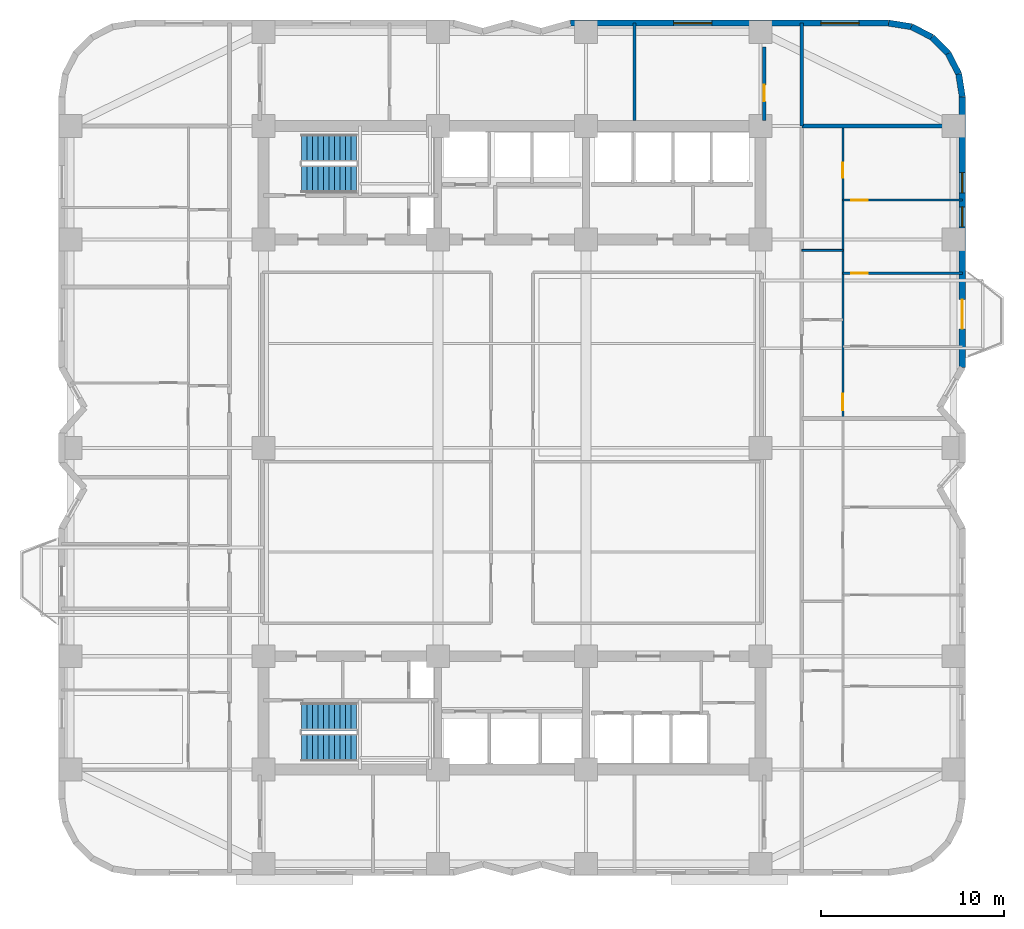
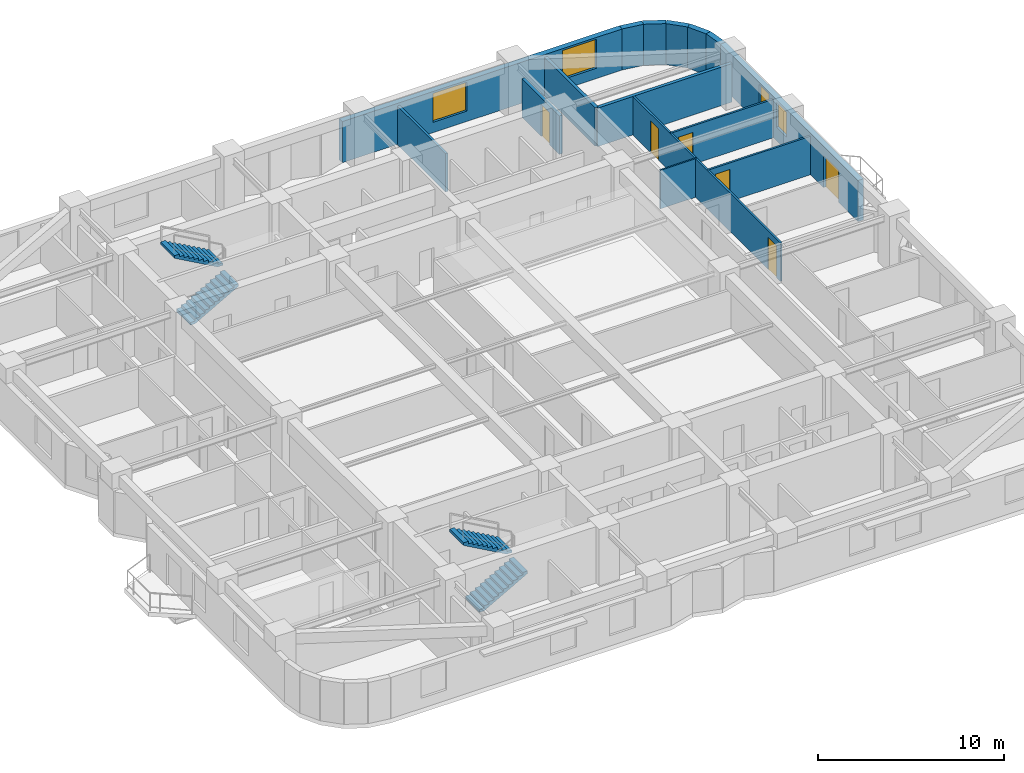
# One storey, part 7 of 9: 15 walls, 6 doors, 4 stair flights, 4 windows, 10 openings, 2 elements without a shape of their own.
"""IFC4 building model written with IfcOpenShell, lengths in metres."""

from ifc_helpers import new_model, si_unit, direction, frame, frame_2d, origin, place, context, subcontext, project, spatial, polyline, rectangle, outline, extrude, material, layer, layer_set, type_object, element, fill, aggregate, save


model = new_model("IFC4")

# Units and contexts
model_context = context("Model", 3, precision=1e-05, world=origin(), true_north=direction((0.0, 1.0)))
body_context = subcontext(model_context, "Body", "Model", "MODEL_VIEW")
ifc_project = project(units=[si_unit("LENGTHUNIT", "METRE"), si_unit("AREAUNIT", "SQUARE_METRE"), si_unit("VOLUMEUNIT", "CUBIC_METRE"), si_unit("PLANEANGLEUNIT", "RADIAN"), si_unit("MASSUNIT", "GRAM", prefix="KILO")], contexts=[model_context])

# Site, building, storey
site_placement = place(None, origin())
site = spatial("IfcSite", under=ifc_project, at=site_placement, CompositionType="ELEMENT")
building_placement = place(site_placement, origin())
building = spatial("IfcBuilding", under=site, at=building_placement, Name="Svetorya Sky Lyceum", CompositionType="ELEMENT")
storey_placement = place(building_placement, frame((0.0, 0.0, 47.300048828125)))
storey = spatial("IfcBuildingStorey", under=building, at=storey_placement, Name="L11", CompositionType="ELEMENT", Elevation=47.300048828125)

# Wall, openings, door, windows
ifc_material_1 = material(Name="Putilovo limestone rainscreen on autoclaved cellular masonry", Category="masonry")
ifc_layer_1 = layer(ifc_material_1, 0.340087890625)
ifc_layer_set_1 = layer_set([ifc_layer_1], Name="Putilovo limestone rainscreen on autoclaved cellular masonry")
wall_type_1 = type_object("IfcWallType", Name="WL-EXT-340", PredefinedType="SOLIDWALL", material=ifc_layer_set_1)
wall_1_placement = place(storey_placement, frame((63.830078125, 32.60009765625, 0.0), z_axis=(0.0, 0.0, 1.0), x_axis=(0.0, 1.0, 0.0)))
wall_1 = element("IfcWall", 1, at=wall_1_placement, inside=storey, type_object=wall_type_1, Name="L11 Limestone Exterior Wall 23M", PredefinedType="SOLIDWALL", context=body_context, shape_type="SweptSolid", body=[
    extrude(rectangle(XDim=14.7998046875, YDim=0.340087890625, at=frame_2d((7.39990234375, 0.0))), origin(), (0.0, 0.0, 1.0), 2.699951171875),
])
opening_1_placement = place(wall_1_placement, frame((2.10009765625, 0.0, 0.0)))
opening_1 = element("IfcOpeningElement", 2, at=opening_1_placement, cuts=wall_1, Name="Opening D-BL1", PredefinedType="OPENING", context=body_context, shape_type="SweptSolid", body=[
    extrude(rectangle(XDim=1.60009765625, YDim=2.10009765625, at=frame_2d((0.800048828125, 1.050048828125))), frame((0.0, 0.179931640625, 0.0), z_axis=(0.0, -1.0, 0.0), x_axis=(1.0, 0.0, 0.0)), (0.0, 0.0, 1.0), 0.360107421875),
])
opening_2_placement = place(wall_1_placement, frame((7.679931640625, 0.0, 0.889892578125)))
opening_2 = element("IfcOpeningElement", 3, at=opening_2_placement, cuts=wall_1, Name="Opening W-R3", PredefinedType="OPENING", context=body_context, shape_type="SweptSolid", body=[
    extrude(rectangle(XDim=1.10009765625, YDim=1.64990234375, at=frame_2d((0.550048828125, 0.824951171875))), frame((0.0, 0.179931640625, 0.0), z_axis=(0.0, -1.0, 0.0), x_axis=(1.0, 0.0, 0.0)), (0.0, 0.0, 1.0), 0.360107421875),
])
opening_3_placement = place(wall_1_placement, frame((9.550048828125, 0.0, 0.929931640625)))
opening_3 = element("IfcOpeningElement", 4, at=opening_3_placement, cuts=wall_1, Name="Opening W-R3", PredefinedType="OPENING", context=body_context, shape_type="SweptSolid", body=[
    extrude(rectangle(XDim=1.10009765625, YDim=1.64990234375, at=frame_2d((0.550048828125, 0.824951171875))), frame((0.0, 0.179931640625, 0.0), z_axis=(0.0, -1.0, 0.0), x_axis=(1.0, 0.0, 0.0)), (0.0, 0.0, 1.0), 0.360107421875),
])
ifc_material_2 = material(Name="Insulated glazed aluminium balcony door", Category="aluminium")
door_type_1 = type_object("IfcDoorType", Name="DR-BAL-1600", OperationType="DOUBLE_DOOR_SINGLE_SWING", PredefinedType="DOOR", material=ifc_material_2)
door_1_placement = place(opening_1_placement, origin())
door_1 = element("IfcDoor", 5, at=door_1_placement, inside=storey, type_object=door_type_1, Name="L11 Balcony BAL-E1 Door", OperationType="DOUBLE_DOOR_SINGLE_SWING", OverallHeight=2.10009765625, OverallWidth=1.60009765625, PredefinedType="DOOR", context=body_context, shape_type="SweptSolid", body=[
    extrude(rectangle(XDim=1.60009765625, YDim=2.10009765625, at=frame_2d((0.800048828125, 1.050048828125))), frame((0.0, 0.02490234375, 0.0), z_axis=(0.0, -1.0, 0.0), x_axis=(1.0, 0.0, 0.0)), (0.0, 0.0, 1.0), 0.050048828125),
])
fill(opening_1, door_1)
ifc_material_3 = material(Name="Thermally broken aluminium frame with triple low-E glazing", Category="aluminium")
window_type_1 = type_object("IfcWindowType", Name="WN-RES-110", PartitioningType="SINGLE_PANEL", PredefinedType="WINDOW", material=ifc_material_3)
window_1_placement = place(opening_2_placement, origin())
window_1 = element("IfcWindow", 6, at=window_1_placement, inside=storey, type_object=window_type_1, Name="L11 Facade Window W-R3.23M.2", OverallHeight=1.64990234375, OverallWidth=1.10009765625, PartitioningType="SINGLE_PANEL", PredefinedType="WINDOW", context=body_context, shape_type="SweptSolid", body=[
    extrude(rectangle(XDim=1.10009765625, YDim=1.64990234375, at=frame_2d((0.550048828125, 0.824951171875))), frame((0.0, 0.030029296875, 0.0), z_axis=(0.0, -1.0, 0.0), x_axis=(1.0, 0.0, 0.0)), (0.0, 0.0, 1.0), 0.06005859375),
])
fill(opening_2, window_1)
window_2_placement = place(opening_3_placement, origin())
window_2 = element("IfcWindow", 7, at=window_2_placement, inside=storey, type_object=window_type_1, Name="L11 Facade Window W-R3.23M.1", OverallHeight=1.64990234375, OverallWidth=1.10009765625, PartitioningType="SINGLE_PANEL", PredefinedType="WINDOW", context=body_context, shape_type="SweptSolid", body=[
    extrude(rectangle(XDim=1.10009765625, YDim=1.64990234375, at=frame_2d((0.550048828125, 0.824951171875))), frame((0.0, 0.030029296875, 0.0), z_axis=(0.0, -1.0, 0.0), x_axis=(1.0, 0.0, 0.0)), (0.0, 0.0, 1.0), 0.06005859375),
])
fill(opening_3, window_2)

# Walls
for number, where, z_axis, x_axis, name in (
    (8, (63.830078125, 47.39990234375, 0.0), (0.0, 0.0, 1.0), (-0.15644975923, 0.987685918112, 0.0), "L11 Limestone Exterior Wall 24M"),
    (9, (63.6328125, 48.645263671875, 0.0), (0.0, 0.0, 1.0), (-0.454015689056, 0.890993689142, 0.0), "L11 Limestone Exterior Wall 25M"),
    (10, (63.060302734375, 49.768798828125, 0.0), (0.0, 0.0, 1.0), (-0.707106781187, 0.707106781187, 0.0), "L11 Limestone Exterior Wall 26M"),
):
    element("IfcWall", number, at=place(storey_placement, frame(where, z_axis=z_axis, x_axis=x_axis)), inside=storey, type_object=wall_type_1, Name=name, PredefinedType="SOLIDWALL", context=body_context, shape_type="SweptSolid", body=[
        extrude(rectangle(XDim=1.260986328125, YDim=0.340087890625, at=frame_2d((0.63037109375, 0.0))), origin(), (0.0, 0.0, 1.0), 2.699951171875),
    ])
for number, where, z_axis, x_axis, name in (
    (11, (62.168701171875, 50.660400390625, 0.0), (0.0, 0.0, 1.0), (-0.890953769915, 0.454094020963, 0.0), "L11 Limestone Exterior Wall 27M"),
    (12, (61.04541015625, 51.23291015625, 0.0), (0.0, 0.0, 1.0), (-0.98771582066, 0.156260864002, 0.0), "L11 Limestone Exterior Wall 28M"),
):
    element("IfcWall", number, at=place(storey_placement, frame(where, z_axis=z_axis, x_axis=x_axis)), inside=storey, type_object=wall_type_1, Name=name, PredefinedType="SOLIDWALL", context=body_context, shape_type="SweptSolid", body=[
        extrude(rectangle(XDim=1.2607421875, YDim=0.340087890625, at=frame_2d((0.63037109375, 0.0))), origin(), (0.0, 0.0, 1.0), 2.699951171875),
    ])

# Wall, openings, windows
wall_2_placement = place(storey_placement, frame((59.800048828125, 51.429931640625, 0.0), z_axis=(0.0, 0.0, 1.0), x_axis=(-1.0, 0.0, 0.0)))
wall_2 = element("IfcWall", 13, at=wall_2_placement, inside=storey, type_object=wall_type_1, Name="L11 Limestone Exterior Wall 29M", PredefinedType="SOLIDWALL", context=body_context, shape_type="SweptSolid", body=[
    extrude(rectangle(XDim=17.400146484375, YDim=0.340087890625, at=frame_2d((8.7001953125, 0.0))), origin(), (0.0, 0.0, 1.0), 2.699951171875),
])
opening_4_placement = place(wall_2_placement, frame((1.612548828125, 0.0, 0.679931640625)))
opening_4 = element("IfcOpeningElement", 14, at=opening_4_placement, cuts=wall_2, Name="Opening W-R0", PredefinedType="OPENING", context=body_context, shape_type="SweptSolid", body=[
    extrude(rectangle(XDim=2.10009765625, YDim=1.89990234375, at=frame_2d((1.050048828125, 0.949951171875))), frame((0.0, 0.179931640625, 0.0), z_axis=(0.0, -1.0, 0.0), x_axis=(1.0, 0.0, 0.0)), (0.0, 0.0, 1.0), 0.360107421875),
])
opening_5_placement = place(wall_2_placement, frame((9.66259765625, 0.0, 0.679931640625)))
opening_5 = element("IfcOpeningElement", 15, at=opening_5_placement, cuts=wall_2, Name="Opening W-R0", PredefinedType="OPENING", context=body_context, shape_type="SweptSolid", body=[
    extrude(rectangle(XDim=2.10009765625, YDim=1.89990234375, at=frame_2d((1.050048828125, 0.949951171875))), frame((0.0, 0.179931640625, 0.0), z_axis=(0.0, -1.0, 0.0), x_axis=(1.0, 0.0, 0.0)), (0.0, 0.0, 1.0), 0.360107421875),
])
window_type_2 = type_object("IfcWindowType", Name="WN-RES-210", PartitioningType="TRIPLE_PANEL_VERTICAL", PredefinedType="WINDOW", material=ifc_material_3)
window_3_placement = place(opening_4_placement, origin())
window_3 = element("IfcWindow", 16, at=window_3_placement, inside=storey, type_object=window_type_2, Name="L11 Facade Window W-R0.29M.1", OverallHeight=1.89990234375, OverallWidth=2.10009765625, PartitioningType="SINGLE_PANEL", PredefinedType="WINDOW", context=body_context, shape_type="SweptSolid", body=[
    extrude(rectangle(XDim=2.10009765625, YDim=1.89990234375, at=frame_2d((1.050048828125, 0.949951171875))), frame((0.0, 0.030029296875, 0.0), z_axis=(0.0, -1.0, 0.0), x_axis=(1.0, 0.0, 0.0)), (0.0, 0.0, 1.0), 0.06005859375),
])
fill(opening_4, window_3)
window_4_placement = place(opening_5_placement, origin())
window_4 = element("IfcWindow", 17, at=window_4_placement, inside=storey, type_object=window_type_2, Name="L11 Facade Window W-R0.29M.2", OverallHeight=1.89990234375, OverallWidth=2.10009765625, PartitioningType="SINGLE_PANEL", PredefinedType="WINDOW", context=body_context, shape_type="SweptSolid", body=[
    extrude(rectangle(XDim=2.10009765625, YDim=1.89990234375, at=frame_2d((1.050048828125, 0.949951171875))), frame((0.0, 0.030029296875, 0.0), z_axis=(0.0, -1.0, 0.0), x_axis=(1.0, 0.0, 0.0)), (0.0, 0.0, 1.0), 0.06005859375),
])
fill(opening_5, window_4)

# Wall
ifc_material_4 = material(Name="Galvanized stud partition with moisture-resistant board", Category="gypsum")
ifc_layer_2 = layer(ifc_material_4, 0.10009765625)
ifc_layer_set_2 = layer_set([ifc_layer_2], Name="Galvanized stud partition with moisture-resistant board")
wall_type_2 = type_object("IfcWallType", Name="WL-PART-100", PredefinedType="PARTITIONING", material=ifc_layer_set_2)
wall_3_placement = place(storey_placement, frame((55.050048828125, 39.0, 0.0), z_axis=(0.0, 0.0, 1.0), x_axis=(1.0, 0.0, 0.0)))
element("IfcWall", 18, at=wall_3_placement, inside=storey, type_object=wall_type_2, Name="L11 Interior Partition E2-WH2", PredefinedType="PARTITIONING", context=body_context, shape_type="SweptSolid", body=[
    extrude(rectangle(XDim=2.25, YDim=0.10009765625, at=frame_2d((1.125, 0.0))), origin(), (0.0, 0.0, 1.0), 2.530029296875),
])

# Wall, opening, door
ifc_material_5 = material(Name="Twin-stud galvanized framing with double fireboard", Category="gypsum")
ifc_layer_3 = layer(ifc_material_5, 0.1201171875)
ifc_layer_set_3 = layer_set([ifc_layer_3], Name="Twin-stud galvanized framing with double fireboard")
wall_type_3 = type_object("IfcWallType", Name="WL-PART-120", PredefinedType="PARTITIONING", material=ifc_layer_set_3)
wall_4_placement = place(storey_placement, frame((57.300048828125, 37.75, 0.0), z_axis=(0.0, 0.0, 1.0), x_axis=(1.0, 0.0, 0.0)))
wall_4 = element("IfcWall", 19, at=wall_4_placement, inside=storey, type_object=wall_type_3, Name="L11 Interior Partition E2-WL2", PredefinedType="PARTITIONING", context=body_context, shape_type="SweptSolid", body=[
    extrude(rectangle(XDim=6.530029296875, YDim=0.1201171875, at=frame_2d((3.26513671875, 0.0))), origin(), (0.0, 0.0, 1.0), 2.530029296875),
])
opening_6_placement = place(wall_4_placement, frame((0.449951171875, 0.0, 0.0)))
opening_6 = element("IfcOpeningElement", 20, at=opening_6_placement, cuts=wall_4, Name="Opening D-RM1", PredefinedType="OPENING", context=body_context, shape_type="SweptSolid", body=[
    extrude(rectangle(XDim=0.89990234375, YDim=2.10009765625, at=frame_2d((0.449951171875, 1.050048828125))), frame((0.0, 0.070068359375, 0.0), z_axis=(0.0, -1.0, 0.0), x_axis=(1.0, 0.0, 0.0)), (0.0, 0.0, 1.0), 0.14013671875),
])
ifc_material_6 = material(Name="Lacquered birch veneer internal door")
door_type_2 = type_object("IfcDoorType", Name="DR-INT-900", OperationType="SINGLE_SWING_LEFT", PredefinedType="DOOR", material=ifc_material_6)
door_2_placement = place(opening_6_placement, origin())
door_2 = element("IfcDoor", 21, at=door_2_placement, inside=storey, type_object=door_type_2, Name="Apartment E2 Bedroom 2 Door", OperationType="SINGLE_SWING_RIGHT", OverallHeight=2.10009765625, OverallWidth=0.89990234375, PredefinedType="DOOR", context=body_context, shape_type="SweptSolid", body=[
    extrude(rectangle(XDim=0.89990234375, YDim=2.10009765625, at=frame_2d((0.449951171875, 1.050048828125))), frame((0.0, 0.02490234375, 0.0), z_axis=(0.0, -1.0, 0.0), x_axis=(1.0, 0.0, 0.0)), (0.0, 0.0, 1.0), 0.050048828125),
])
fill(opening_6, door_2)

wall_5_placement = place(storey_placement, frame((57.300048828125, 41.75, 0.0), z_axis=(0.0, 0.0, 1.0), x_axis=(1.0, 0.0, 0.0)))
wall_5 = element("IfcWall", 22, at=wall_5_placement, inside=storey, type_object=wall_type_3, Name="L11 Interior Partition E2-WL3", PredefinedType="PARTITIONING", context=body_context, shape_type="SweptSolid", body=[
    extrude(rectangle(XDim=6.530029296875, YDim=0.1201171875, at=frame_2d((3.26513671875, 0.0))), origin(), (0.0, 0.0, 1.0), 2.530029296875),
])
opening_7_placement = place(wall_5_placement, frame((0.449951171875, 0.0, 0.0)))
opening_7 = element("IfcOpeningElement", 23, at=opening_7_placement, cuts=wall_5, Name="Opening D-RM1", PredefinedType="OPENING", context=body_context, shape_type="SweptSolid", body=[
    extrude(rectangle(XDim=0.89990234375, YDim=2.10009765625, at=frame_2d((0.449951171875, 1.050048828125))), frame((0.0, 0.070068359375, 0.0), z_axis=(0.0, -1.0, 0.0), x_axis=(1.0, 0.0, 0.0)), (0.0, 0.0, 1.0), 0.14013671875),
])
door_3_placement = place(opening_7_placement, origin())
door_3 = element("IfcDoor", 24, at=door_3_placement, inside=storey, type_object=door_type_2, Name="Apartment E2 Bedroom 3 Door", OperationType="SINGLE_SWING_LEFT", OverallHeight=2.10009765625, OverallWidth=0.89990234375, PredefinedType="DOOR", context=body_context, shape_type="SweptSolid", body=[
    extrude(rectangle(XDim=0.89990234375, YDim=2.10009765625, at=frame_2d((0.449951171875, 1.050048828125))), frame((0.0, 0.02490234375, 0.0), z_axis=(0.0, -1.0, 0.0), x_axis=(1.0, 0.0, 0.0)), (0.0, 0.0, 1.0), 0.050048828125),
])
fill(opening_7, door_3)

# Wall, openings, doors
wall_6_placement = place(storey_placement, frame((57.300048828125, 29.840087890625, 0.0), z_axis=(0.0, 0.0, 1.0), x_axis=(0.0, 1.0, 0.0)))
wall_6 = element("IfcWall", 25, at=wall_6_placement, inside=storey, type_object=wall_type_3, Name="L11 Interior Partition E2-WV", PredefinedType="PARTITIONING", context=body_context, shape_type="SweptSolid", body=[
    extrude(rectangle(XDim=15.919921875, YDim=0.1201171875, at=frame_2d((7.9599609375, 0.0))), origin(), (0.0, 0.0, 1.0), 2.530029296875),
])
opening_8_placement = place(wall_6_placement, frame((0.409912109375, 0.0, 0.0)))
opening_8 = element("IfcOpeningElement", 26, at=opening_8_placement, cuts=wall_6, Name="Opening D-RM1", PredefinedType="OPENING", context=body_context, shape_type="SweptSolid", body=[
    extrude(rectangle(XDim=0.89990234375, YDim=2.10009765625, at=frame_2d((0.449951171875, 1.050048828125))), frame((0.0, 0.070068359375, 0.0), z_axis=(0.0, -1.0, 0.0), x_axis=(1.0, 0.0, 0.0)), (0.0, 0.0, 1.0), 0.14013671875),
])
opening_9_placement = place(wall_6_placement, frame((13.125, 0.0, 0.0)))
opening_9 = element("IfcOpeningElement", 27, at=opening_9_placement, cuts=wall_6, Name="Opening D-BT2", PredefinedType="OPENING", context=body_context, shape_type="SweptSolid", body=[
    extrude(rectangle(XDim=0.820068359375, YDim=2.080078125, at=frame_2d((0.41015625, 1.0400390625))), frame((0.0, 0.070068359375, 0.0), z_axis=(0.0, -1.0, 0.0), x_axis=(1.0, 0.0, 0.0)), (0.0, 0.0, 1.0), 0.14013671875),
])
door_4_placement = place(opening_8_placement, origin())
door_4 = element("IfcDoor", 28, at=door_4_placement, inside=storey, type_object=door_type_2, Name="Apartment E2 Living Door", OperationType="SINGLE_SWING_RIGHT", OverallHeight=2.10009765625, OverallWidth=0.89990234375, PredefinedType="DOOR", context=body_context, shape_type="SweptSolid", body=[
    extrude(rectangle(XDim=0.89990234375, YDim=2.10009765625, at=frame_2d((0.449951171875, 1.050048828125))), frame((0.0, 0.02490234375, 0.0), z_axis=(0.0, -1.0, 0.0), x_axis=(1.0, 0.0, 0.0)), (0.0, 0.0, 1.0), 0.050048828125),
])
fill(opening_8, door_4)
ifc_material_7 = material(Name="Compact moisture-resistant laminate closet door")
door_type_3 = type_object("IfcDoorType", Name="DR-WET-820", OperationType="SINGLE_SWING_LEFT", PredefinedType="DOOR", material=ifc_material_7)
door_5_placement = place(opening_9_placement, origin())
door_5 = element("IfcDoor", 29, at=door_5_placement, inside=storey, type_object=door_type_3, Name="Apartment E2 Study Door", OperationType="SINGLE_SWING_LEFT", OverallHeight=2.080078125, OverallWidth=0.820068359375, PredefinedType="DOOR", context=body_context, shape_type="SweptSolid", body=[
    extrude(rectangle(XDim=0.820068359375, YDim=2.080078125, at=frame_2d((0.41015625, 1.0400390625))), frame((0.0, 0.02490234375, 0.0), z_axis=(0.0, -1.0, 0.0), x_axis=(1.0, 0.0, 0.0)), (0.0, 0.0, 1.0), 0.050048828125),
])
fill(opening_9, door_5)

# Walls
ifc_material_8 = material(Name="Autoclaved cellular masonry blockwork with acoustic render", Category="masonry")
ifc_layer_4 = layer(ifc_material_8, 0.14990234375)
ifc_layer_set_4 = layer_set([ifc_layer_4], Name="Autoclaved cellular masonry blockwork with acoustic render")
wall_type_4 = type_object("IfcWallType", Name="WL-PART-150", PredefinedType="PARTITIONING", material=ifc_layer_set_4)
wall_7_placement = place(storey_placement, frame((45.89990234375, 46.10009765625, 0.0), z_axis=(0.0, 0.0, 1.0), x_axis=(0.0, 1.0, 0.0)))
element("IfcWall", 30, at=wall_7_placement, inside=storey, type_object=wall_type_4, Name="L11 Interior Partition N-D2", PredefinedType="PARTITIONING", context=body_context, shape_type="SweptSolid", body=[
    extrude(rectangle(XDim=5.329833984375, YDim=0.14990234375, at=frame_2d((2.6650390625, 0.0))), origin(), (0.0, 0.0, 1.0), 2.530029296875),
])
ifc_material_9 = material(Name="Autoclaved cellular masonry blockwork with gypsum plaster", Category="masonry")
ifc_layer_5 = layer(ifc_material_9, 0.199951171875)
ifc_layer_set_5 = layer_set([ifc_layer_5], Name="Autoclaved cellular masonry blockwork with gypsum plaster")
wall_type_5 = type_object("IfcWallType", Name="WL-PART-200", PredefinedType="PARTITIONING", material=ifc_layer_set_5)
wall_8_placement = place(storey_placement, frame((55.050048828125, 45.800048828125, 0.0), z_axis=(0.0, 0.0, 1.0), x_axis=(1.0, 0.0, 0.0)))
element("IfcWall", 31, at=wall_8_placement, inside=storey, type_object=wall_type_5, Name="L11 Interior Partition E-CAP-N", PredefinedType="PARTITIONING", context=body_context, shape_type="SweptSolid", body=[
    extrude(rectangle(XDim=8.35986328125, YDim=0.199951171875, at=frame_2d((4.179931640625, 0.0))), origin(), (0.0, 0.0, 1.0), 2.530029296875),
])
wall_9_placement = place(storey_placement, frame((55.050048828125, 45.800048828125, 0.0), z_axis=(0.0, 0.0, 1.0), x_axis=(0.0, 1.0, 0.0)))
element("IfcWall", 32, at=wall_9_placement, inside=storey, type_object=wall_type_5, Name="L11 Interior Partition EC-NE-END", PredefinedType="PARTITIONING", context=body_context, shape_type="SweptSolid", body=[
    extrude(rectangle(XDim=5.6298828125, YDim=0.199951171875, at=frame_2d((2.81494140625, 0.0))), origin(), (0.0, 0.0, 1.0), 2.530029296875),
])

# Wall, opening, door
wall_10_placement = place(storey_placement, frame((53.0, 46.10009765625, 0.0), z_axis=(0.0, 0.0, 1.0), x_axis=(0.0, 1.0, 0.0)))
wall_10 = element("IfcWall", 33, at=wall_10_placement, inside=storey, type_object=wall_type_5, Name="L11 Interior Partition N-EE", PredefinedType="PARTITIONING", context=body_context, shape_type="SweptSolid", body=[
    extrude(rectangle(XDim=4.02978515625, YDim=0.199951171875, at=frame_2d((2.014892578125, 0.0))), origin(), (0.0, 0.0, 1.0), 2.530029296875),
])
opening_10_placement = place(wall_10_placement, frame((1.050048828125, 0.0, 0.0)))
opening_10 = element("IfcOpeningElement", 34, at=opening_10_placement, cuts=wall_10, Name="Opening D-RM1", PredefinedType="OPENING", context=body_context, shape_type="SweptSolid", body=[
    extrude(rectangle(XDim=0.89990234375, YDim=2.10009765625, at=frame_2d((0.449951171875, 1.050048828125))), frame((0.0, 0.10986328125, 0.0), z_axis=(0.0, -1.0, 0.0), x_axis=(1.0, 0.0, 0.0)), (0.0, 0.0, 1.0), 0.219970703125),
])
door_6_placement = place(opening_10_placement, origin())
door_6 = element("IfcDoor", 35, at=door_6_placement, inside=storey, type_object=door_type_2, Name="L11 North Meeting Door", OperationType="SINGLE_SWING_LEFT", OverallHeight=2.10009765625, OverallWidth=0.89990234375, PredefinedType="DOOR", context=body_context, shape_type="SweptSolid", body=[
    extrude(rectangle(XDim=0.89990234375, YDim=2.10009765625, at=frame_2d((0.449951171875, 1.050048828125))), frame((0.0, 0.02490234375, 0.0), z_axis=(0.0, -1.0, 0.0), x_axis=(1.0, 0.0, 0.0)), (0.0, 0.0, 1.0), 0.050048828125),
])
fill(opening_10, door_6)

# Stair, stair flights
ifc_material_10 = material(Name="Concrete C40/50", Category="concrete")
stair_type_1 = type_object("IfcStairType", Name="STR-ST-N", PredefinedType="HALF_TURN_STAIR", material=ifc_material_10)
stair_1_placement = place(storey_placement, origin())
stair_1 = element("IfcStair", 36, at=stair_1_placement, inside=storey, type_object=stair_type_1, Name="L11 North Core Smoke-Free Exit Stair N3", PredefinedType="HALF_TURN_STAIR")
stair_flight_type_1 = type_object("IfcStairFlightType", Name="SFL-ST-N", PredefinedType="STRAIGHT", material=ifc_material_10)
stair_flight_1_placement = place(storey_placement, frame((27.699951171875, 42.89990234375, 0.0), z_axis=(0.0, 0.0, 1.0), x_axis=(1.0, 0.0, 0.0)))
stair_flight_1 = element("IfcStairFlight", 37, at=stair_flight_1_placement, type_object=stair_flight_type_1, Name="ST-N flight 1", NumberOfRisers=11, NumberOfTreads=10, PredefinedType="STRAIGHT", RiserHeight=0.168181818, TreadLength=0.3, context=body_context, shape_type="SweptSolid", body=[
    extrude(outline(polyline([(0.0, 0.0), (0.0, 0.168212890625), (0.300048828125, 0.168212890625), (0.300048828125, 0.33642578125), (0.60009765625, 0.33642578125), (0.60009765625, 0.504638671875), (0.89990234375, 0.504638671875), (0.89990234375, 0.672607421875), (1.199951171875, 0.672607421875), (1.199951171875, 0.8408203125), (1.5, 0.8408203125), (1.5, 1.009033203125), (1.800048828125, 1.009033203125), (1.800048828125, 1.17724609375), (2.10009765625, 1.17724609375), (2.10009765625, 1.345458984375), (2.39990234375, 1.345458984375), (2.39990234375, 1.513671875), (2.699951171875, 1.513671875), (2.699951171875, 1.681884765625), (3.0, 1.681884765625), (3.0, 1.85009765625), (3.0, 1.510009765625), (0.306640625, 0.0), (0.0, 0.0)])), frame((0.0, 0.75, 0.0), z_axis=(0.0, -1.0, 0.0), x_axis=(1.0, 0.0, 0.0)), (0.0, 0.0, 1.0), 1.5),
])
stair_flight_2_placement = place(storey_placement, frame((30.699951171875, 44.60009765625, 1.849853515625), z_axis=(0.0, 0.0, 1.0), x_axis=(-1.0, 0.0, 0.0)))
stair_flight_2 = element("IfcStairFlight", 38, at=stair_flight_2_placement, type_object=stair_flight_type_1, Name="ST-N flight 2", NumberOfRisers=11, NumberOfTreads=10, PredefinedType="STRAIGHT", RiserHeight=0.168181818, TreadLength=0.3, context=body_context, shape_type="SweptSolid", body=[
    extrude(outline(polyline([(0.0, 0.0), (0.0, 0.168212890625), (0.300048828125, 0.168212890625), (0.300048828125, 0.33642578125), (0.60009765625, 0.33642578125), (0.60009765625, 0.504638671875), (0.89990234375, 0.504638671875), (0.89990234375, 0.672607421875), (1.199951171875, 0.672607421875), (1.199951171875, 0.8408203125), (1.5, 0.8408203125), (1.5, 1.009033203125), (1.800048828125, 1.009033203125), (1.800048828125, 1.17724609375), (2.10009765625, 1.17724609375), (2.10009765625, 1.345458984375), (2.39990234375, 1.345458984375), (2.39990234375, 1.513671875), (2.699951171875, 1.513671875), (2.699951171875, 1.681884765625), (3.0, 1.681884765625), (3.0, 1.85009765625), (3.0, 1.510009765625), (0.306640625, 0.0), (0.0, 0.0)])), frame((0.0, 0.75, 0.0), z_axis=(0.0, -1.0, 0.0), x_axis=(1.0, 0.0, 0.0)), (0.0, 0.0, 1.0), 1.5),
])
aggregate(stair_1, [stair_flight_1, stair_flight_2])

stair_type_2 = type_object("IfcStairType", Name="STR-ST-S", PredefinedType="HALF_TURN_STAIR", material=ifc_material_10)
stair_2_placement = place(storey_placement, origin())
stair_2 = element("IfcStair", 39, at=stair_2_placement, inside=storey, type_object=stair_type_2, Name="L11 South Core Smoke-Free Exit Stair N2", PredefinedType="HALF_TURN_STAIR")
stair_flight_type_2 = type_object("IfcStairFlightType", Name="SFL-ST-S", PredefinedType="STRAIGHT", material=ifc_material_10)
stair_flight_3_placement = place(storey_placement, frame((27.699951171875, 11.800048828125, 0.0), z_axis=(0.0, 0.0, 1.0), x_axis=(1.0, 0.0, 0.0)))
stair_flight_3 = element("IfcStairFlight", 40, at=stair_flight_3_placement, type_object=stair_flight_type_2, Name="ST-S flight 1", NumberOfRisers=11, NumberOfTreads=10, PredefinedType="STRAIGHT", RiserHeight=0.168181818, TreadLength=0.3, context=body_context, shape_type="SweptSolid", body=[
    extrude(outline(polyline([(0.0, 0.0), (0.0, 0.168212890625), (0.300048828125, 0.168212890625), (0.300048828125, 0.33642578125), (0.60009765625, 0.33642578125), (0.60009765625, 0.504638671875), (0.89990234375, 0.504638671875), (0.89990234375, 0.672607421875), (1.199951171875, 0.672607421875), (1.199951171875, 0.8408203125), (1.5, 0.8408203125), (1.5, 1.009033203125), (1.800048828125, 1.009033203125), (1.800048828125, 1.17724609375), (2.10009765625, 1.17724609375), (2.10009765625, 1.345458984375), (2.39990234375, 1.345458984375), (2.39990234375, 1.513671875), (2.699951171875, 1.513671875), (2.699951171875, 1.681884765625), (3.0, 1.681884765625), (3.0, 1.85009765625), (3.0, 1.510009765625), (0.306640625, 0.0), (0.0, 0.0)])), frame((0.0, 0.75, 0.0), z_axis=(0.0, -1.0, 0.0), x_axis=(1.0, 0.0, 0.0)), (0.0, 0.0, 1.0), 1.5),
])
stair_flight_4_placement = place(storey_placement, frame((30.699951171875, 13.5, 1.849853515625), z_axis=(0.0, 0.0, 1.0), x_axis=(-1.0, 0.0, 0.0)))
stair_flight_4 = element("IfcStairFlight", 41, at=stair_flight_4_placement, type_object=stair_flight_type_2, Name="ST-S flight 2", NumberOfRisers=11, NumberOfTreads=10, PredefinedType="STRAIGHT", RiserHeight=0.168181818, TreadLength=0.3, context=body_context, shape_type="SweptSolid", body=[
    extrude(outline(polyline([(0.0, 0.0), (0.0, 0.168212890625), (0.300048828125, 0.168212890625), (0.300048828125, 0.33642578125), (0.60009765625, 0.33642578125), (0.60009765625, 0.504638671875), (0.89990234375, 0.504638671875), (0.89990234375, 0.672607421875), (1.199951171875, 0.672607421875), (1.199951171875, 0.8408203125), (1.5, 0.8408203125), (1.5, 1.009033203125), (1.800048828125, 1.009033203125), (1.800048828125, 1.17724609375), (2.10009765625, 1.17724609375), (2.10009765625, 1.345458984375), (2.39990234375, 1.345458984375), (2.39990234375, 1.513671875), (2.699951171875, 1.513671875), (2.699951171875, 1.681884765625), (3.0, 1.681884765625), (3.0, 1.85009765625), (3.0, 1.510009765625), (0.306640625, 0.0), (0.0, 0.0)])), frame((0.0, 0.75, 0.0), z_axis=(0.0, -1.0, 0.0), x_axis=(1.0, 0.0, 0.0)), (0.0, 0.0, 1.0), 1.5),
])
aggregate(stair_2, [stair_flight_3, stair_flight_4])

save(model, "model.ifc")
